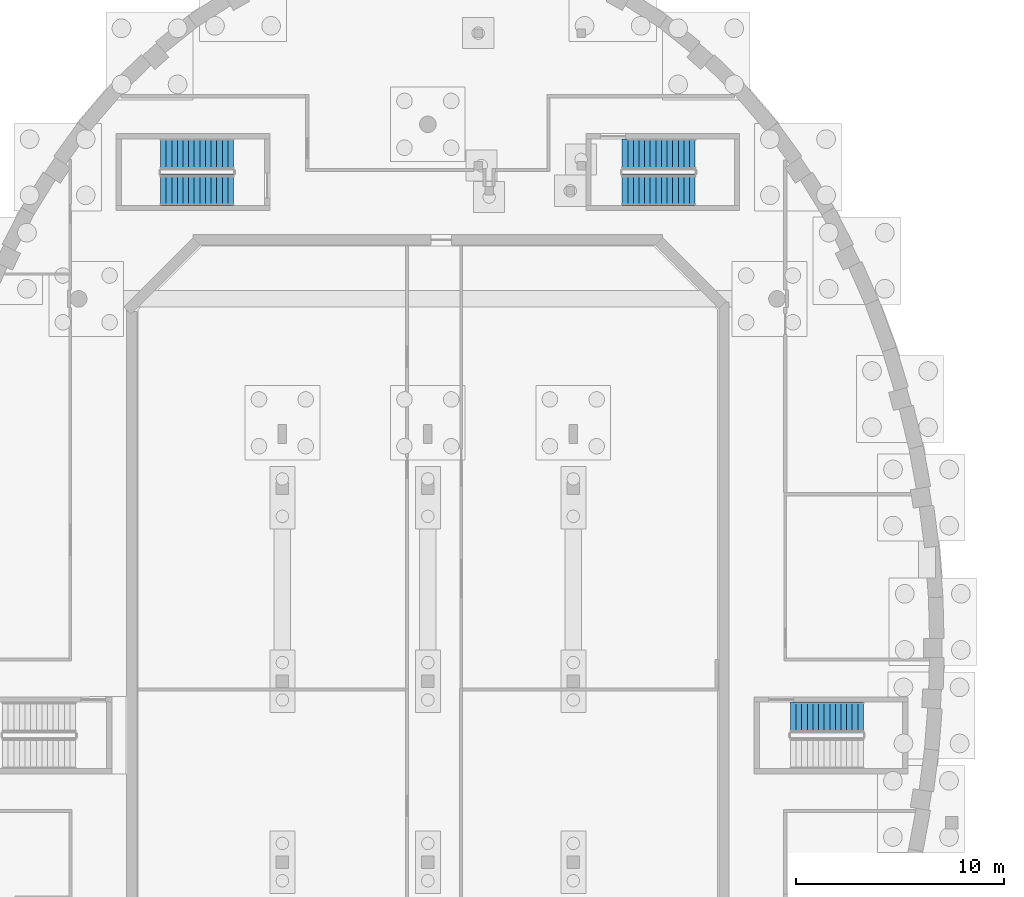
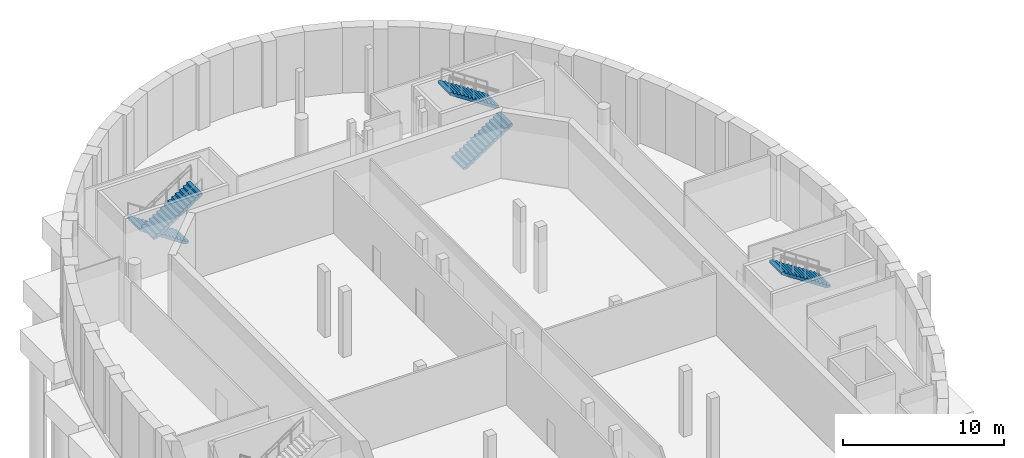
# One storey, part 18 of 33: 5 stair flights, 3 elements without a shape of their own.
"""IFC4 building model written with IfcOpenShell, lengths in metres."""

from ifc_helpers import new_model, si_unit, direction, frame, origin, place, context, subcontext, project, spatial, polyline, outline, extrude, material, type_object, element, aggregate, save


model = new_model("IFC4")

# Units and contexts
model_context = context("Model", 3, precision=1e-05, world=origin(), true_north=direction((0.0, 1.0)))
body_context = subcontext(model_context, "Body", "Model", "MODEL_VIEW")
ifc_project = project(units=[si_unit("LENGTHUNIT", "METRE"), si_unit("AREAUNIT", "SQUARE_METRE"), si_unit("VOLUMEUNIT", "CUBIC_METRE"), si_unit("PLANEANGLEUNIT", "RADIAN"), si_unit("MASSUNIT", "GRAM", prefix="KILO")], contexts=[model_context])

# Site, building, storey
site_placement = place(None, origin())
site = spatial("IfcSite", under=ifc_project, at=site_placement, CompositionType="ELEMENT")
building_placement = place(site_placement, origin())
building = spatial("IfcBuilding", under=site, at=building_placement, Name="Larchfold Concert Hall", CompositionType="ELEMENT")
storey_placement = place(building_placement, frame((0.0, 0.0, -5.0)))
storey = spatial("IfcBuildingStorey", under=building, at=storey_placement, Name="B1", CompositionType="ELEMENT", Elevation=-5.0)

# Stair, stair flights
ifc_material_1 = material(Name="Concrete C35/45", Category="concrete")
stair_type = type_object("IfcStairType", Name="Stair RC half-turn enclosed", PredefinedType="HALF_TURN_STAIR", material=ifc_material_1)
stair_1_placement = place(storey_placement, origin())
stair_1 = element("IfcStair", 1, at=stair_1_placement, inside=storey, type_object=stair_type, Name="Stair DS2", PredefinedType="HALF_TURN_STAIR")
ifc_material_2 = material(Name="Concrete C35/45", Category="concrete")
stair_flight_type = type_object("IfcStairFlightType", Name="Stair flight RC 1500 x 178.6", PredefinedType="STRAIGHT", material=ifc_material_2)
stair_flight_1_placement = place(storey_placement, frame((51.949951171875, 106.64990234375, 0.0), z_axis=(0.0, 0.0, 1.0), x_axis=(1.0, 0.0, 0.0)))
stair_flight_1 = element("IfcStairFlight", 2, at=stair_flight_1_placement, type_object=stair_flight_type, Name="ST02 flight 1", NumberOfRisers=14, NumberOfTreads=13, PredefinedType="STRAIGHT", RiserHeight=0.178571429, TreadLength=0.27, context=body_context, shape_type="SweptSolid", body=[
    extrude(outline(polyline([(0.0, 0.0), (0.0, 0.178466796875), (0.27001953125, 0.178466796875), (0.27001953125, 0.357177734375), (0.5400390625, 0.357177734375), (0.5400390625, 0.53564453125), (0.81005859375, 0.53564453125), (0.81005859375, 0.71435546875), (1.080078125, 0.71435546875), (1.080078125, 0.892822265625), (1.35009765625, 0.892822265625), (1.35009765625, 1.071533203125), (1.6201171875, 1.071533203125), (1.6201171875, 1.25), (1.889892578125, 1.25), (1.889892578125, 1.428466796875), (2.159912109375, 1.428466796875), (2.159912109375, 1.607177734375), (2.429931640625, 1.607177734375), (2.429931640625, 1.78564453125), (2.699951171875, 1.78564453125), (2.699951171875, 1.96435546875), (2.969970703125, 1.96435546875), (2.969970703125, 2.142822265625), (3.239990234375, 2.142822265625), (3.239990234375, 2.321533203125), (3.510009765625, 2.321533203125), (3.510009765625, 2.5), (3.510009765625, 2.1416015625), (0.271728515625, 0.0), (0.0, 0.0)])), frame((0.0, 0.75, 0.0), z_axis=(0.0, -1.0, 0.0), x_axis=(1.0, 0.0, 0.0)), (0.0, 0.0, 1.0), 1.5),
])
stair_flight_2_placement = place(storey_placement, frame((55.4599609375, 108.349853515625, 2.5), z_axis=(0.0, 0.0, 1.0), x_axis=(-1.0, 0.0, 0.0)))
stair_flight_2 = element("IfcStairFlight", 3, at=stair_flight_2_placement, type_object=stair_flight_type, Name="ST02 flight 2", NumberOfRisers=14, NumberOfTreads=13, PredefinedType="STRAIGHT", RiserHeight=0.178571429, TreadLength=0.27, context=body_context, shape_type="SweptSolid", body=[
    extrude(outline(polyline([(0.0, 0.0), (0.0, 0.178466796875), (0.27001953125, 0.178466796875), (0.27001953125, 0.357177734375), (0.5400390625, 0.357177734375), (0.5400390625, 0.53564453125), (0.81005859375, 0.53564453125), (0.81005859375, 0.71435546875), (1.080078125, 0.71435546875), (1.080078125, 0.892822265625), (1.35009765625, 0.892822265625), (1.35009765625, 1.071533203125), (1.6201171875, 1.071533203125), (1.6201171875, 1.25), (1.889892578125, 1.25), (1.889892578125, 1.428466796875), (2.159912109375, 1.428466796875), (2.159912109375, 1.607177734375), (2.429931640625, 1.607177734375), (2.429931640625, 1.78564453125), (2.699951171875, 1.78564453125), (2.699951171875, 1.96435546875), (2.969970703125, 1.96435546875), (2.969970703125, 2.142822265625), (3.239990234375, 2.142822265625), (3.239990234375, 2.321533203125), (3.510009765625, 2.321533203125), (3.510009765625, 2.5), (3.510009765625, 2.1416015625), (0.271728515625, 0.0), (0.0, 0.0)])), frame((0.0, 0.75, 0.0), z_axis=(0.0, -1.0, 0.0), x_axis=(1.0, 0.0, 0.0)), (0.0, 0.0, 1.0), 1.5),
])
aggregate(stair_1, [stair_flight_1, stair_flight_2])

stair_2_placement = place(storey_placement, origin())
stair_2 = element("IfcStair", 4, at=stair_2_placement, inside=storey, type_object=stair_type, Name="Stair DS3", PredefinedType="HALF_TURN_STAIR")
stair_flight_3_placement = place(storey_placement, frame((33.25, 108.35009765625, 0.0), z_axis=(0.0, 0.0, 1.0), x_axis=(-1.0, 0.0, 0.0)))
stair_flight_3 = element("IfcStairFlight", 5, at=stair_flight_3_placement, type_object=stair_flight_type, Name="ST03 flight 1", NumberOfRisers=14, NumberOfTreads=13, PredefinedType="STRAIGHT", RiserHeight=0.178571429, TreadLength=0.27, context=body_context, shape_type="SweptSolid", body=[
    extrude(outline(polyline([(0.0, 0.0), (0.0, 0.178466796875), (0.27001953125, 0.178466796875), (0.27001953125, 0.357177734375), (0.5400390625, 0.357177734375), (0.5400390625, 0.53564453125), (0.81005859375, 0.53564453125), (0.81005859375, 0.71435546875), (1.080078125, 0.71435546875), (1.080078125, 0.892822265625), (1.35009765625, 0.892822265625), (1.35009765625, 1.071533203125), (1.6201171875, 1.071533203125), (1.6201171875, 1.25), (1.889892578125, 1.25), (1.889892578125, 1.428466796875), (2.159912109375, 1.428466796875), (2.159912109375, 1.607177734375), (2.429931640625, 1.607177734375), (2.429931640625, 1.78564453125), (2.699951171875, 1.78564453125), (2.699951171875, 1.96435546875), (2.969970703125, 1.96435546875), (2.969970703125, 2.142822265625), (3.239990234375, 2.142822265625), (3.239990234375, 2.321533203125), (3.510009765625, 2.321533203125), (3.510009765625, 2.5), (3.510009765625, 2.1416015625), (0.271728515625, 0.0), (0.0, 0.0)])), frame((0.0, 0.75, 0.0), z_axis=(0.0, -1.0, 0.0), x_axis=(1.0, 0.0, 0.0)), (0.0, 0.0, 1.0), 1.5),
])
stair_flight_4_placement = place(storey_placement, frame((29.739990234375, 106.650146484375, 2.5), z_axis=(0.0, 0.0, 1.0), x_axis=(1.0, 0.0, 0.0)))
stair_flight_4 = element("IfcStairFlight", 6, at=stair_flight_4_placement, type_object=stair_flight_type, Name="ST03 flight 2", NumberOfRisers=14, NumberOfTreads=13, PredefinedType="STRAIGHT", RiserHeight=0.178571429, TreadLength=0.27, context=body_context, shape_type="SweptSolid", body=[
    extrude(outline(polyline([(0.0, 0.0), (0.0, 0.178466796875), (0.27001953125, 0.178466796875), (0.27001953125, 0.357177734375), (0.5400390625, 0.357177734375), (0.5400390625, 0.53564453125), (0.81005859375, 0.53564453125), (0.81005859375, 0.71435546875), (1.080078125, 0.71435546875), (1.080078125, 0.892822265625), (1.35009765625, 0.892822265625), (1.35009765625, 1.071533203125), (1.6201171875, 1.071533203125), (1.6201171875, 1.25), (1.889892578125, 1.25), (1.889892578125, 1.428466796875), (2.159912109375, 1.428466796875), (2.159912109375, 1.607177734375), (2.429931640625, 1.607177734375), (2.429931640625, 1.78564453125), (2.699951171875, 1.78564453125), (2.699951171875, 1.96435546875), (2.969970703125, 1.96435546875), (2.969970703125, 2.142822265625), (3.239990234375, 2.142822265625), (3.239990234375, 2.321533203125), (3.510009765625, 2.321533203125), (3.510009765625, 2.5), (3.510009765625, 2.1416015625), (0.271728515625, 0.0), (0.0, 0.0)])), frame((0.0, 0.75, 0.0), z_axis=(0.0, -1.0, 0.0), x_axis=(1.0, 0.0, 0.0)), (0.0, 0.0, 1.0), 1.5),
])
aggregate(stair_2, [stair_flight_3, stair_flight_4])

# Stair, stair flight
stair_3_placement = place(storey_placement, origin())
stair_3 = element("IfcStair", 7, at=stair_3_placement, inside=storey, type_object=stair_type, Name="Stair DS8", PredefinedType="HALF_TURN_STAIR")
stair_flight_5_placement = place(storey_placement, frame((63.56005859375, 81.25, 2.5), z_axis=(0.0, 0.0, 1.0), x_axis=(-1.0, 0.0, 0.0)))
stair_flight_5 = element("IfcStairFlight", 8, at=stair_flight_5_placement, type_object=stair_flight_type, Name="ST08 flight 2", NumberOfRisers=14, NumberOfTreads=13, PredefinedType="STRAIGHT", RiserHeight=0.178571429, TreadLength=0.27, context=body_context, shape_type="SweptSolid", body=[
    extrude(outline(polyline([(0.0, 0.0), (0.0, 0.178466796875), (0.27001953125, 0.178466796875), (0.27001953125, 0.357177734375), (0.5400390625, 0.357177734375), (0.5400390625, 0.53564453125), (0.81005859375, 0.53564453125), (0.81005859375, 0.71435546875), (1.080078125, 0.71435546875), (1.080078125, 0.892822265625), (1.35009765625, 0.892822265625), (1.35009765625, 1.071533203125), (1.6201171875, 1.071533203125), (1.6201171875, 1.25), (1.889892578125, 1.25), (1.889892578125, 1.428466796875), (2.159912109375, 1.428466796875), (2.159912109375, 1.607177734375), (2.429931640625, 1.607177734375), (2.429931640625, 1.78564453125), (2.699951171875, 1.78564453125), (2.699951171875, 1.96435546875), (2.969970703125, 1.96435546875), (2.969970703125, 2.142822265625), (3.239990234375, 2.142822265625), (3.239990234375, 2.321533203125), (3.510009765625, 2.321533203125), (3.510009765625, 2.5), (3.510009765625, 2.1416015625), (0.271728515625, 0.0), (0.0, 0.0)])), frame((0.0, 0.75, 0.0), z_axis=(0.0, -1.0, 0.0), x_axis=(1.0, 0.0, 0.0)), (0.0, 0.0, 1.0), 1.5),
])
aggregate(stair_3, [stair_flight_5])

save(model, "model.ifc")
